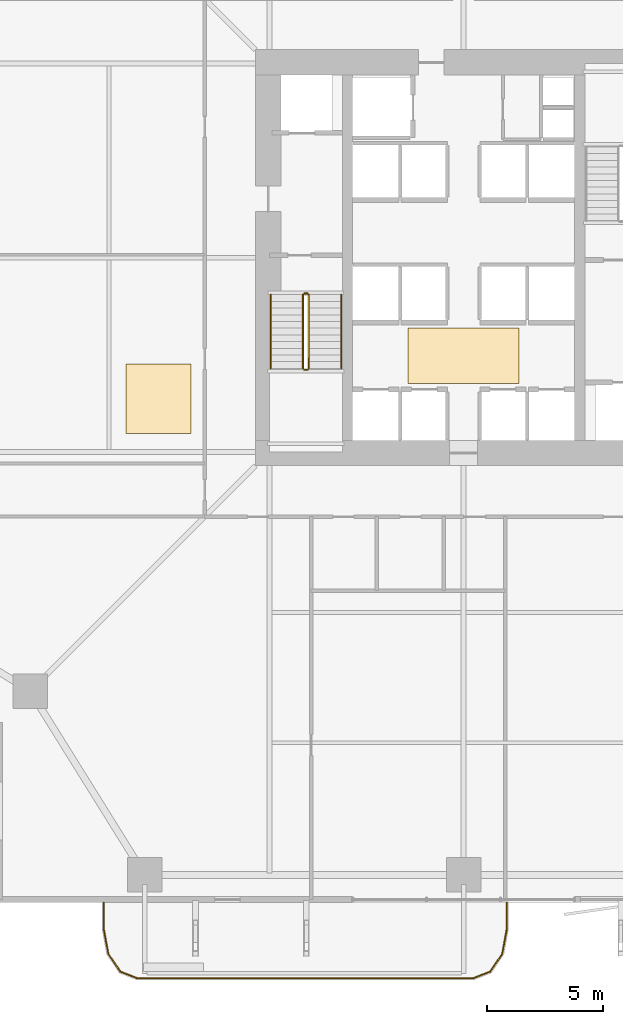
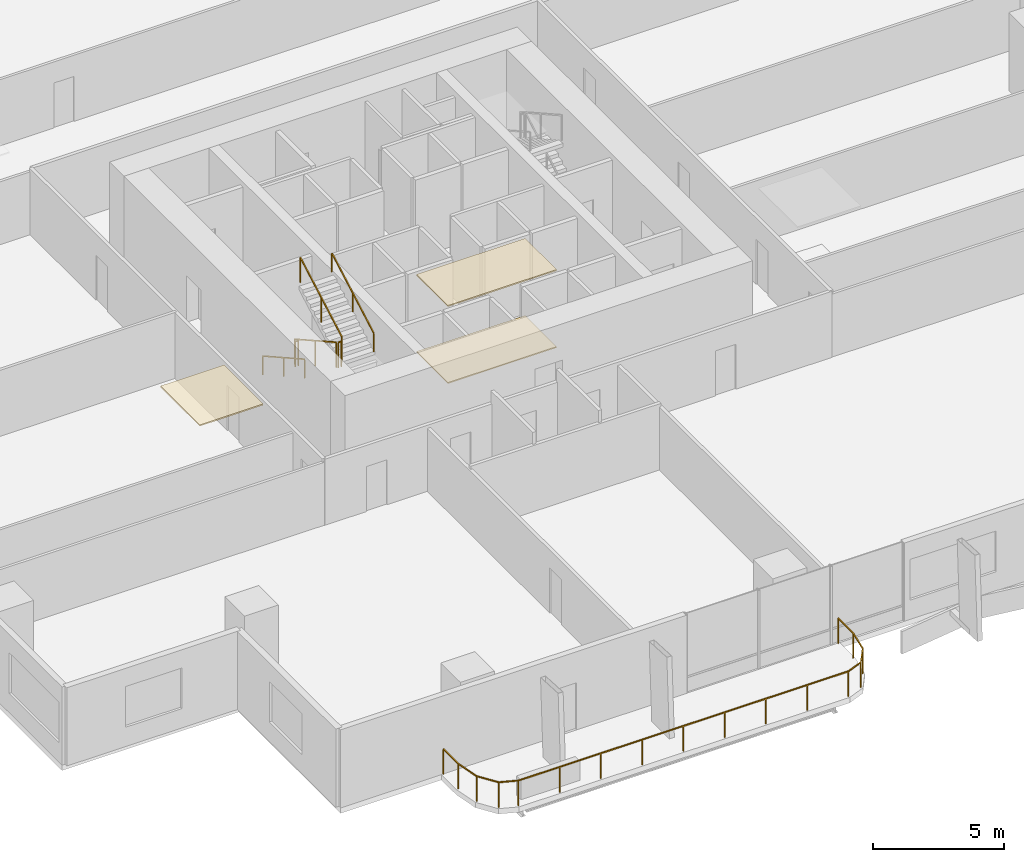
# One storey, part 21 of 23: 7 railings, 3 coverings.
"""IFC4 building model written with IfcOpenShell, lengths in metres."""

from ifc_helpers import new_model, si_unit, direction, frame, origin, origin_2d, place, context, subcontext, project, spatial, polyline, rectangle, outline, extrude, material, layer, layer_set, type_object, element, save


model = new_model("IFC4")

# Units and contexts
model_context = context("Model", 3, precision=1e-05, world=origin(), true_north=direction((0.0, 1.0)))
body_context = subcontext(model_context, "Body", "Model", "MODEL_VIEW")
ifc_project = project(units=[si_unit("LENGTHUNIT", "METRE"), si_unit("AREAUNIT", "SQUARE_METRE"), si_unit("VOLUMEUNIT", "CUBIC_METRE"), si_unit("PLANEANGLEUNIT", "RADIAN"), si_unit("MASSUNIT", "GRAM", prefix="KILO")], contexts=[model_context])

# Site, building, storey
site_placement = place(None, origin())
site = spatial("IfcSite", under=ifc_project, at=site_placement, CompositionType="ELEMENT")
building_placement = place(site_placement, origin())
building = spatial("IfcBuilding", under=site, at=building_placement, Name="Belovzor Exchange Tower", CompositionType="ELEMENT")
storey_placement = place(building_placement, frame((0.0, 0.0, 65.10009765625)))
storey = spatial("IfcBuildingStorey", under=building, at=storey_placement, Name="L15", CompositionType="ELEMENT", Elevation=65.10009765625)

# Railings
ifc_material_1 = material(Name="Stainless Steel Grade 304", Category="steel")
railing_type_1 = type_object("IfcRailingType", Name="Brushed Stainless Steel Stair Handrail 900", PredefinedType="HANDRAIL", material=ifc_material_1)
railing_1_placement = place(storey_placement, frame((20.449951171875, 27.199951171875, 0.162353515625)))
element("IfcRailing", 1, at=railing_1_placement, inside=storey, type_object=railing_type_1, Name="L15 ST-1 stair handrail 1", PredefinedType="HANDRAIL", context=body_context, shape_type="SweptSolid", body=[
    extrude(rectangle(XDim=0.048095703125, YDim=0.048095703125, at=origin_2d()), frame((0.0, 0.0, 0.8759765625), z_axis=(0.0, -0.8723625253, 0.488859514025), x_axis=(1.0, 0.0, 0.0)), (0.0, 0.0, 1.0), 3.65673828125),
    extrude(rectangle(XDim=0.0419921875, YDim=0.0419921875, at=origin_2d()), origin(), (0.0, 0.0, 1.0), 0.851806640625),
    extrude(rectangle(XDim=0.0419921875, YDim=0.0419921875, at=origin_2d()), frame((0.0, -1.594970703125, 0.893798828125)), (0.0, 0.0, 1.0), 0.851806640625),
    extrude(rectangle(XDim=0.0419921875, YDim=0.0419921875, at=origin_2d()), frame((0.0, -3.18994140625, 1.78759765625)), (0.0, 0.0, 1.0), 0.851806640625),
])
railing_2_placement = place(storey_placement, frame((23.5, 24.010009765625, 2.1123046875)))
element("IfcRailing", 2, at=railing_2_placement, inside=storey, type_object=railing_type_1, Name="L15 ST-1 stair handrail 2", PredefinedType="HANDRAIL", context=body_context, shape_type="SweptSolid", body=[
    extrude(rectangle(XDim=0.048095703125, YDim=0.048095703125, at=origin_2d()), frame((0.0, 0.0, 0.8759765625), z_axis=(0.0, 0.8723625253, 0.488859514025), x_axis=(-1.0, 0.0, 0.0)), (0.0, 0.0, 1.0), 3.65673828125),
    extrude(rectangle(XDim=0.0419921875, YDim=0.0419921875, at=origin_2d()), origin(), (0.0, 0.0, 1.0), 0.851806640625),
    extrude(rectangle(XDim=0.0419921875, YDim=0.0419921875, at=origin_2d()), frame((0.0, 1.594970703125, 0.893798828125)), (0.0, 0.0, 1.0), 0.851806640625),
    extrude(rectangle(XDim=0.0419921875, YDim=0.0419921875, at=origin_2d()), frame((0.0, 3.18994140625, 1.78759765625)), (0.0, 0.0, 1.0), 0.851806640625),
])
ifc_material_2 = material(Name="Stainless Steel and Laminated Safety Glass", Category="steel")
railing_type_2 = type_object("IfcRailingType", Name="Laminated Glass & Stainless Steel Balcony Balustrade 1200", PredefinedType="BALUSTRADE", material=ifc_material_2)
railing_3_placement = place(storey_placement, frame((13.22998046875, 0.889892578125, 0.0)))
element("IfcRailing", 3, at=railing_3_placement, inside=storey, type_object=railing_type_2, Name="GR-1 Balcony Balustrade L15 South", PredefinedType="BALUSTRADE", context=body_context, shape_type="SweptSolid", body=[
    extrude(rectangle(XDim=0.048095703125, YDim=0.048095703125, at=origin_2d()), frame((0.0, 0.0, 1.17578125), z_axis=(0.0, -1.0, 0.0), x_axis=(1.0, 0.0, 0.0)), (0.0, 0.0, 1.0), 1.1328125),
    extrude(rectangle(XDim=0.048095703125, YDim=0.048095703125, at=origin_2d()), frame((0.0, -1.1328125, 1.17578125), z_axis=(0.180083182347, -0.983651385113, 0.0), x_axis=(0.983651385113, 0.180083182347, 0.0)), (0.0, 0.0, 1.0), 1.093994140625),
    extrude(rectangle(XDim=0.048095703125, YDim=0.048095703125, at=origin_2d()), frame((0.197021484375, -2.208984375, 1.17578125), z_axis=(0.562768145367, -0.826614792125, 0.0), x_axis=(0.826614792125, 0.562768145367, 0.0)), (0.0, 0.0, 1.0), 0.9326171875),
    extrude(rectangle(XDim=0.048095703125, YDim=0.048095703125, at=origin_2d()), frame((0.721923828125, -2.97998046875, 1.17578125), z_axis=(0.930809580156, -0.365504480807, 0.0), x_axis=(0.365504480807, 0.930809580156, 0.0)), (0.0, 0.0, 1.0), 0.76611328125),
    extrude(rectangle(XDim=0.048095703125, YDim=0.048095703125, at=origin_2d()), frame((1.43505859375, -3.260009765625, 1.17578125), z_axis=(1.0, 0.0, 0.0), x_axis=(0.0, 1.0, 0.0)), (0.0, 0.0, 1.0), 14.570068359375),
    extrude(rectangle(XDim=0.048095703125, YDim=0.048095703125, at=origin_2d()), frame((16.005126953125, -3.260009765625, 1.17578125), z_axis=(0.930766990125, 0.365612923861, 0.0), x_axis=(-0.365612923861, 0.930766990125, 0.0)), (0.0, 0.0, 1.0), 0.765869140625),
    extrude(rectangle(XDim=0.048095703125, YDim=0.048095703125, at=origin_2d()), frame((16.718017578125, -2.97998046875, 1.17578125), z_axis=(0.562768145367, 0.826614792125, 0.0), x_axis=(-0.826614792125, 0.562768145367, 0.0)), (0.0, 0.0, 1.0), 0.9326171875),
    extrude(rectangle(XDim=0.048095703125, YDim=0.048095703125, at=origin_2d()), frame((17.242919921875, -2.208984375, 1.17578125), z_axis=(0.180083182347, 0.983651385113, 0.0), x_axis=(-0.983651385113, 0.180083182347, 0.0)), (0.0, 0.0, 1.0), 1.093994140625),
    extrude(rectangle(XDim=0.048095703125, YDim=0.048095703125, at=origin_2d()), frame((17.43994140625, -1.1328125, 1.17578125), z_axis=(0.0, 1.0, 0.0), x_axis=(-1.0, 0.0, 0.0)), (0.0, 0.0, 1.0), 1.1328125),
    extrude(rectangle(XDim=0.0419921875, YDim=0.0419921875, at=origin_2d()), origin(), (0.0, 0.0, 1.0), 1.15185546875),
    extrude(rectangle(XDim=0.0419921875, YDim=0.0419921875, at=origin_2d()), frame((0.0, -1.1328125, 0.0)), (0.0, 0.0, 1.0), 1.15185546875),
    extrude(rectangle(XDim=0.0419921875, YDim=0.0419921875, at=origin_2d()), frame((0.197021484375, -2.208984375, 0.0)), (0.0, 0.0, 1.0), 1.15185546875),
    extrude(rectangle(XDim=0.0419921875, YDim=0.0419921875, at=origin_2d()), frame((0.721923828125, -2.97998046875, 0.0)), (0.0, 0.0, 1.0), 1.15185546875),
    extrude(rectangle(XDim=0.0419921875, YDim=0.0419921875, at=origin_2d()), frame((1.43505859375, -3.260009765625, 0.0)), (0.0, 0.0, 1.0), 1.15185546875),
    extrude(rectangle(XDim=0.0419921875, YDim=0.0419921875, at=origin_2d()), frame((3.25634765625, -3.260009765625, 0.0)), (0.0, 0.0, 1.0), 1.15185546875),
    extrude(rectangle(XDim=0.0419921875, YDim=0.0419921875, at=origin_2d()), frame((5.07763671875, -3.260009765625, 0.0)), (0.0, 0.0, 1.0), 1.15185546875),
    extrude(rectangle(XDim=0.0419921875, YDim=0.0419921875, at=origin_2d()), frame((6.89892578125, -3.260009765625, 0.0)), (0.0, 0.0, 1.0), 1.15185546875),
    extrude(rectangle(XDim=0.0419921875, YDim=0.0419921875, at=origin_2d()), frame((8.72021484375, -3.260009765625, 0.0)), (0.0, 0.0, 1.0), 1.15185546875),
    extrude(rectangle(XDim=0.0419921875, YDim=0.0419921875, at=origin_2d()), frame((10.541259765625, -3.260009765625, 0.0)), (0.0, 0.0, 1.0), 1.15185546875),
    extrude(rectangle(XDim=0.0419921875, YDim=0.0419921875, at=origin_2d()), frame((12.362548828125, -3.260009765625, 0.0)), (0.0, 0.0, 1.0), 1.15185546875),
    extrude(rectangle(XDim=0.0419921875, YDim=0.0419921875, at=origin_2d()), frame((14.183837890625, -3.260009765625, 0.0)), (0.0, 0.0, 1.0), 1.15185546875),
    extrude(rectangle(XDim=0.0419921875, YDim=0.0419921875, at=origin_2d()), frame((16.005126953125, -3.260009765625, 0.0)), (0.0, 0.0, 1.0), 1.15185546875),
    extrude(rectangle(XDim=0.0419921875, YDim=0.0419921875, at=origin_2d()), frame((16.718017578125, -2.97998046875, 0.0)), (0.0, 0.0, 1.0), 1.15185546875),
    extrude(rectangle(XDim=0.0419921875, YDim=0.0419921875, at=origin_2d()), frame((17.242919921875, -2.208984375, 0.0)), (0.0, 0.0, 1.0), 1.15185546875),
    extrude(rectangle(XDim=0.0419921875, YDim=0.0419921875, at=origin_2d()), frame((17.43994140625, -1.1328125, 0.0)), (0.0, 0.0, 1.0), 1.15185546875),
    extrude(rectangle(XDim=0.0419921875, YDim=0.0419921875, at=origin_2d()), frame((17.43994140625, 0.0, 0.0)), (0.0, 0.0, 1.0), 1.15185546875),
])
ifc_material_3 = material(Name="Steel S355", Category="steel")
railing_type_3 = type_object("IfcRailingType", Name="Painted Steel Stairwell Guardrail 1200", PredefinedType="GUARDRAIL", material=ifc_material_3)
railing_4_placement = place(storey_placement, frame((21.85009765625, 27.199951171875, 0.162353515625)))
element("IfcRailing", 4, at=railing_4_placement, inside=storey, type_object=railing_type_3, Name="L15 ST-1 stair guard 1", PredefinedType="GUARDRAIL", context=body_context, shape_type="SweptSolid", body=[
    extrude(rectangle(XDim=0.048095703125, YDim=0.048095703125, at=origin_2d()), frame((0.0, 0.0, 1.17578125), z_axis=(0.0, -0.8723625253, 0.488859514025), x_axis=(1.0, 0.0, 0.0)), (0.0, 0.0, 1.0), 3.65673828125),
    extrude(rectangle(XDim=0.0419921875, YDim=0.0419921875, at=origin_2d()), origin(), (0.0, 0.0, 1.0), 1.15185546875),
    extrude(rectangle(XDim=0.0419921875, YDim=0.0419921875, at=origin_2d()), frame((0.0, -1.594970703125, 0.893798828125)), (0.0, 0.0, 1.0), 1.15185546875),
    extrude(rectangle(XDim=0.0419921875, YDim=0.0419921875, at=origin_2d()), frame((0.0, -3.18994140625, 1.78759765625)), (0.0, 0.0, 1.0), 1.15185546875),
])
railing_5_placement = place(storey_placement, frame((21.89990234375, 23.9599609375, 1.949951171875)))
element("IfcRailing", 5, at=railing_5_placement, inside=storey, type_object=railing_type_3, Name="L15 ST-1 stair guard 2", PredefinedType="GUARDRAIL", context=body_context, shape_type="SweptSolid", body=[
    extrude(rectangle(XDim=0.048095703125, YDim=0.048095703125, at=origin_2d()), frame((0.0, 0.0, 1.17578125), z_axis=(1.0, 0.0, 0.0), x_axis=(0.0, 1.0, 0.0)), (0.0, 0.0, 1.0), 0.150146484375),
    extrude(rectangle(XDim=0.0419921875, YDim=0.0419921875, at=origin_2d()), origin(), (0.0, 0.0, 1.0), 1.15185546875),
    extrude(rectangle(XDim=0.0419921875, YDim=0.0419921875, at=origin_2d()), frame((0.150146484375, 0.0, 0.0)), (0.0, 0.0, 1.0), 1.15185546875),
])
railing_6_placement = place(storey_placement, frame((22.10009765625, 24.010009765625, 2.1123046875)))
element("IfcRailing", 6, at=railing_6_placement, inside=storey, type_object=railing_type_3, Name="L15 ST-1 stair guard 3", PredefinedType="GUARDRAIL", context=body_context, shape_type="SweptSolid", body=[
    extrude(rectangle(XDim=0.048095703125, YDim=0.048095703125, at=origin_2d()), frame((0.0, 0.0, 1.17578125), z_axis=(0.0, 0.8723625253, 0.488859514025), x_axis=(-1.0, 0.0, 0.0)), (0.0, 0.0, 1.0), 3.65673828125),
    extrude(rectangle(XDim=0.0419921875, YDim=0.0419921875, at=origin_2d()), origin(), (0.0, 0.0, 1.0), 1.15185546875),
    extrude(rectangle(XDim=0.0419921875, YDim=0.0419921875, at=origin_2d()), frame((0.0, 1.594970703125, 0.893798828125)), (0.0, 0.0, 1.0), 1.15185546875),
    extrude(rectangle(XDim=0.0419921875, YDim=0.0419921875, at=origin_2d()), frame((0.0, 3.18994140625, 1.78759765625)), (0.0, 0.0, 1.0), 1.15185546875),
])
railing_7_placement = place(storey_placement, frame((21.89990234375, 27.25, 0.0)))
element("IfcRailing", 7, at=railing_7_placement, inside=storey, type_object=railing_type_3, Name="L15 ST-1 stair guard 4", PredefinedType="GUARDRAIL", context=body_context, shape_type="SweptSolid", body=[
    extrude(rectangle(XDim=0.048095703125, YDim=0.048095703125, at=origin_2d()), frame((0.0, 0.0, 1.17578125), z_axis=(1.0, 0.0, 0.0), x_axis=(0.0, 1.0, 0.0)), (0.0, 0.0, 1.0), 0.150146484375),
    extrude(rectangle(XDim=0.0419921875, YDim=0.0419921875, at=origin_2d()), origin(), (0.0, 0.0, 1.0), 1.15185546875),
    extrude(rectangle(XDim=0.0419921875, YDim=0.0419921875, at=origin_2d()), frame((0.150146484375, 0.0, 0.0)), (0.0, 0.0, 1.0), 1.15185546875),
])

# Coverings
ifc_material_4 = material(Name="Perforated Powder-Coated Aluminium", Category="aluminium")
ifc_layer_1 = layer(ifc_material_4, 0.06005859375)
ifc_layer_set_1 = layer_set([ifc_layer_1], Name="Perforated Powder-Coated Aluminium")
covering_type_1 = type_object("IfcCoveringType", Name="Perforated Acoustic Metal Tile Suspended Ceiling 60", PredefinedType="CEILING", material=ifc_layer_set_1)
covering_1_placement = place(storey_placement, frame((0.0, 0.0, 3.58984375)))
element("IfcCovering", 8, at=covering_1_placement, inside=storey, type_object=covering_type_1, Name="CLG-AC60 Suspended Ceiling CLG-L15-LOB", PredefinedType="CEILING", context=body_context, shape_type="SweptSolid", body=[
    extrude(outline(polyline([(26.39990234375, 23.35009765625), (31.199951171875, 23.35009765625), (31.199951171875, 25.75), (26.39990234375, 25.75), (26.39990234375, 23.35009765625)])), origin(), (0.0, 0.0, 1.0), 0.06005859375),
])
covering_2_placement = place(storey_placement, frame((0.0, 0.0, 3.58984375)))
element("IfcCovering", 9, at=covering_2_placement, inside=storey, type_object=covering_type_1, Name="CLG-AC60 Suspended Ceiling CLG-L15-Z3", PredefinedType="CEILING", context=body_context, shape_type="SweptSolid", body=[
    extrude(outline(polyline([(14.199951171875, 21.199951171875), (17.0, 21.199951171875), (17.0, 24.199951171875), (14.199951171875, 24.199951171875), (14.199951171875, 21.199951171875)])), origin(), (0.0, 0.0, 1.0), 0.06005859375),
])
ifc_material_5 = material(Name="Polished Natural Granite Tile", Category="masonry")
ifc_layer_2 = layer(ifc_material_5, 0.050048828125)
ifc_layer_set_2 = layer_set([ifc_layer_2], Name="Polished Natural Granite Tile")
covering_type_2 = type_object("IfcCoveringType", Name="Polished Karelian Granite & Raised Access Floor Finish 50", PredefinedType="FLOORING", material=ifc_layer_set_2)
covering_3_placement = place(storey_placement, origin())
element("IfcCovering", 10, at=covering_3_placement, inside=storey, type_object=covering_type_2, Name="FLR-GR50 Floor Finish FLR-L15-LOB", PredefinedType="FLOORING", context=body_context, shape_type="SweptSolid", body=[
    extrude(outline(polyline([(26.39990234375, 23.35009765625), (31.199951171875, 23.35009765625), (31.199951171875, 25.75), (26.39990234375, 25.75), (26.39990234375, 23.35009765625)])), origin(), (0.0, 0.0, 1.0), 0.0498046875),
])

save(model, "model.ifc")
